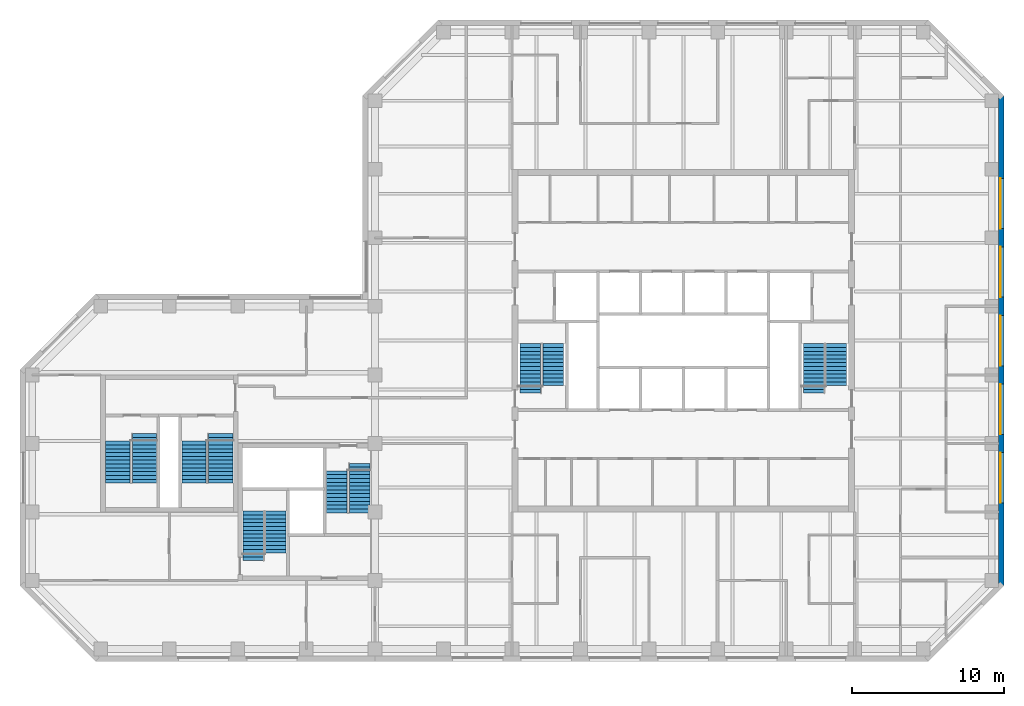
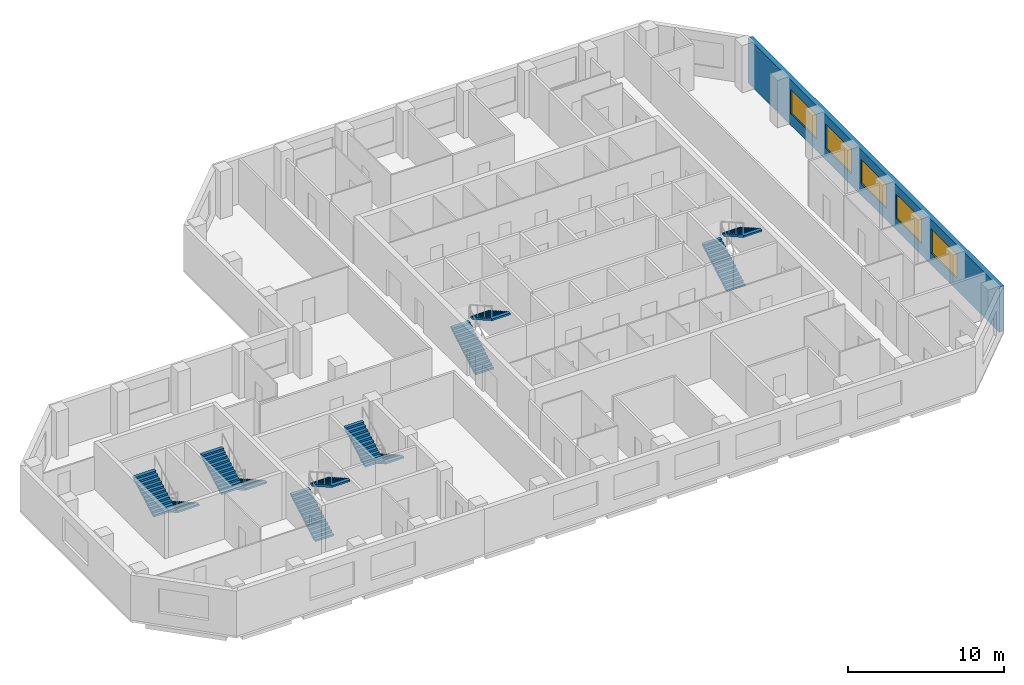
# One storey, part 8 of 9: 12 stair flights, 5 windows, 1 wall, 5 openings, 6 elements without a shape of their own.
"""IFC4 building model written with IfcOpenShell, lengths in metres."""

from ifc_helpers import new_model, si_unit, direction, frame, frame_2d, origin, place, context, subcontext, project, spatial, polyline, rectangle, outline, extrude, material, layer, layer_set, constituent, constituent_set, type_object, element, fill, aggregate, save


model = new_model("IFC4")

# Units and contexts
model_context = context("Model", 3, precision=1e-05, world=origin(), true_north=direction((0.0, 1.0)))
body_context = subcontext(model_context, "Body", "Model", "MODEL_VIEW")
ifc_project = project(units=[si_unit("LENGTHUNIT", "METRE"), si_unit("AREAUNIT", "SQUARE_METRE"), si_unit("VOLUMEUNIT", "CUBIC_METRE"), si_unit("PLANEANGLEUNIT", "RADIAN"), si_unit("MASSUNIT", "GRAM", prefix="KILO")], contexts=[model_context])

# Site, building, storey
site_placement = place(None, origin())
site = spatial("IfcSite", under=ifc_project, at=site_placement, CompositionType="ELEMENT")
building_placement = place(site_placement, origin())
building = spatial("IfcBuilding", under=site, at=building_placement, Name="Quoin Convention Tower", CompositionType="ELEMENT")
storey_placement = place(building_placement, frame((0.0, 0.0, 166.199951171875)))
storey = spatial("IfcBuildingStorey", under=building, at=storey_placement, Name="L43", CompositionType="ELEMENT", Elevation=166.199951171875)

# Wall, openings, windows
ifc_material_1 = material(Name="Brick masonry", Category="masonry")
ifc_layer = layer(ifc_material_1, 0.35009765625)
ifc_layer_set = layer_set([ifc_layer], Name="Brick masonry")
wall_type = type_object("IfcWallType", Name="Brick facade wall", PredefinedType="STANDARD", material=ifc_layer_set)
wall_placement = place(storey_placement, frame((77.125, 44.668701171875, 0.0), z_axis=(0.0, 0.0, 1.0), x_axis=(0.0, 1.0, 0.0)))
wall = element("IfcWall", 1, at=wall_placement, inside=storey, type_object=wall_type, Name="fw-L43-76500_45000", PredefinedType="STANDARD", context=body_context, shape_type="SweptSolid", body=[
    extrude(rectangle(XDim=32.16259765625, YDim=0.35009765625, at=frame_2d((16.081298828125, 0.0))), origin(), (0.0, 0.0, 1.0), 3.525146484375),
])
opening_1_placement = place(wall_placement, frame((5.431396484375, 0.0, 0.89990234375)))
opening_1 = element("IfcOpeningElement", 2, at=opening_1_placement, cuts=wall, Name="Opening W-02", PredefinedType="OPENING", context=body_context, shape_type="SweptSolid", body=[
    extrude(rectangle(XDim=3.300048828125, YDim=1.89990234375, at=frame_2d((1.64990234375, 0.949951171875))), frame((0.0, 0.18505859375, 0.0), z_axis=(0.0, -1.0, 0.0), x_axis=(1.0, 0.0, 0.0)), (0.0, 0.0, 1.0), 0.3701171875),
])
opening_2_placement = place(wall_placement, frame((9.931396484375, 0.0, 0.89990234375)))
opening_2 = element("IfcOpeningElement", 3, at=opening_2_placement, cuts=wall, Name="Opening W-02", PredefinedType="OPENING", context=body_context, shape_type="SweptSolid", body=[
    extrude(rectangle(XDim=3.300048828125, YDim=1.89990234375, at=frame_2d((1.64990234375, 0.949951171875))), frame((0.0, 0.18505859375, 0.0), z_axis=(0.0, -1.0, 0.0), x_axis=(1.0, 0.0, 0.0)), (0.0, 0.0, 1.0), 0.3701171875),
])
opening_3_placement = place(wall_placement, frame((14.431396484375, 0.0, 0.89990234375)))
opening_3 = element("IfcOpeningElement", 4, at=opening_3_placement, cuts=wall, Name="Opening W-02", PredefinedType="OPENING", context=body_context, shape_type="SweptSolid", body=[
    extrude(rectangle(XDim=3.300048828125, YDim=1.89990234375, at=frame_2d((1.64990234375, 0.949951171875))), frame((0.0, 0.18505859375, 0.0), z_axis=(0.0, -1.0, 0.0), x_axis=(1.0, 0.0, 0.0)), (0.0, 0.0, 1.0), 0.3701171875),
])
opening_4_placement = place(wall_placement, frame((18.931396484375, 0.0, 0.89990234375)))
opening_4 = element("IfcOpeningElement", 5, at=opening_4_placement, cuts=wall, Name="Opening W-02", PredefinedType="OPENING", context=body_context, shape_type="SweptSolid", body=[
    extrude(rectangle(XDim=3.300048828125, YDim=1.89990234375, at=frame_2d((1.64990234375, 0.949951171875))), frame((0.0, 0.18505859375, 0.0), z_axis=(0.0, -1.0, 0.0), x_axis=(1.0, 0.0, 0.0)), (0.0, 0.0, 1.0), 0.3701171875),
])
opening_5_placement = place(wall_placement, frame((23.431396484375, 0.0, 0.89990234375)))
opening_5 = element("IfcOpeningElement", 6, at=opening_5_placement, cuts=wall, Name="Opening W-02", PredefinedType="OPENING", context=body_context, shape_type="SweptSolid", body=[
    extrude(rectangle(XDim=3.300048828125, YDim=1.89990234375, at=frame_2d((1.64990234375, 0.949951171875))), frame((0.0, 0.18505859375, 0.0), z_axis=(0.0, -1.0, 0.0), x_axis=(1.0, 0.0, 0.0)), (0.0, 0.0, 1.0), 0.3701171875),
])
ifc_material_2 = material(Name="Aluminium", Category="aluminium")
ifc_constituent_1 = constituent(ifc_material_2, Name="Frame")
ifc_material_3 = material(Name="Insulated glass", Category="glass")
ifc_constituent_2 = constituent(ifc_material_3, Name="Glazing")
ifc_constituent_set = constituent_set(constituents=[ifc_constituent_1, ifc_constituent_2], Name="Aluminium")
window_type = type_object("IfcWindowType", Name="Office window", PartitioningType="DOUBLE_PANEL_VERTICAL", PredefinedType="WINDOW", material=ifc_constituent_set)
window_1_placement = place(opening_1_placement, origin())
window_1 = element("IfcWindow", 7, at=window_1_placement, inside=storey, type_object=window_type, Name="win-L43-77125_51750", OverallHeight=1.89990234375, OverallWidth=3.300048828125, PartitioningType="SINGLE_PANEL", PredefinedType="WINDOW", context=body_context, shape_type="SweptSolid", body=[
    extrude(rectangle(XDim=3.300048828125, YDim=1.89990234375, at=frame_2d((1.64990234375, 0.949951171875))), frame((0.0, 0.0849609375, 0.0), z_axis=(0.0, -1.0, 0.0), x_axis=(1.0, 0.0, 0.0)), (0.0, 0.0, 1.0), 0.06005859375),
])
fill(opening_1, window_1)
window_2_placement = place(opening_2_placement, origin())
window_2 = element("IfcWindow", 8, at=window_2_placement, inside=storey, type_object=window_type, Name="win-L43-77125_56250", OverallHeight=1.89990234375, OverallWidth=3.300048828125, PartitioningType="SINGLE_PANEL", PredefinedType="WINDOW", context=body_context, shape_type="SweptSolid", body=[
    extrude(rectangle(XDim=3.300048828125, YDim=1.89990234375, at=frame_2d((1.64990234375, 0.949951171875))), frame((0.0, 0.0849609375, 0.0), z_axis=(0.0, -1.0, 0.0), x_axis=(1.0, 0.0, 0.0)), (0.0, 0.0, 1.0), 0.06005859375),
])
fill(opening_2, window_2)
window_3_placement = place(opening_3_placement, origin())
window_3 = element("IfcWindow", 9, at=window_3_placement, inside=storey, type_object=window_type, Name="win-L43-77125_60750", OverallHeight=1.89990234375, OverallWidth=3.300048828125, PartitioningType="SINGLE_PANEL", PredefinedType="WINDOW", context=body_context, shape_type="SweptSolid", body=[
    extrude(rectangle(XDim=3.300048828125, YDim=1.89990234375, at=frame_2d((1.64990234375, 0.949951171875))), frame((0.0, 0.0849609375, 0.0), z_axis=(0.0, -1.0, 0.0), x_axis=(1.0, 0.0, 0.0)), (0.0, 0.0, 1.0), 0.06005859375),
])
fill(opening_3, window_3)
window_4_placement = place(opening_4_placement, origin())
window_4 = element("IfcWindow", 10, at=window_4_placement, inside=storey, type_object=window_type, Name="win-L43-77125_65250", OverallHeight=1.89990234375, OverallWidth=3.300048828125, PartitioningType="SINGLE_PANEL", PredefinedType="WINDOW", context=body_context, shape_type="SweptSolid", body=[
    extrude(rectangle(XDim=3.300048828125, YDim=1.89990234375, at=frame_2d((1.64990234375, 0.949951171875))), frame((0.0, 0.0849609375, 0.0), z_axis=(0.0, -1.0, 0.0), x_axis=(1.0, 0.0, 0.0)), (0.0, 0.0, 1.0), 0.06005859375),
])
fill(opening_4, window_4)
window_5_placement = place(opening_5_placement, origin())
window_5 = element("IfcWindow", 11, at=window_5_placement, inside=storey, type_object=window_type, Name="win-L43-77125_69750", OverallHeight=1.89990234375, OverallWidth=3.300048828125, PartitioningType="SINGLE_PANEL", PredefinedType="WINDOW", context=body_context, shape_type="SweptSolid", body=[
    extrude(rectangle(XDim=3.300048828125, YDim=1.89990234375, at=frame_2d((1.64990234375, 0.949951171875))), frame((0.0, 0.0849609375, 0.0), z_axis=(0.0, -1.0, 0.0), x_axis=(1.0, 0.0, 0.0)), (0.0, 0.0, 1.0), 0.06005859375),
])
fill(opening_5, window_5)

# Stair, stair flights
ifc_material_4 = material(Name="Concrete C40", Category="concrete")
stair_type_1 = type_object("IfcStairType", Name="Exit stair two-flight 1350", PredefinedType="HALF_TURN_STAIR", material=ifc_material_4)
stair_1_placement = place(storey_placement, origin())
stair_1 = element("IfcStair", 12, at=stair_1_placement, inside=storey, type_object=stair_type_1, Name="SD1 L43", PredefinedType="HALF_TURN_STAIR")
stair_flight_type_1 = type_object("IfcStairFlightType", Name="Stair flight 1350", PredefinedType="STRAIGHT", material=ifc_material_4)
stair_flight_1_placement = place(storey_placement, frame((46.199951171875, 57.300048828125, 0.0), z_axis=(0.0, 0.0, 1.0), x_axis=(0.0, 1.0, 0.0)))
stair_flight_1 = element("IfcStairFlight", 13, at=stair_flight_1_placement, type_object=stair_flight_type_1, Name="ST1 flight 1", NumberOfRisers=14, NumberOfTreads=13, PredefinedType="STRAIGHT", RiserHeight=0.142307692, TreadLength=0.25, context=body_context, shape_type="SweptSolid", body=[
    extrude(outline(polyline([(0.0, 0.0), (0.0, 0.142333984375), (0.25, 0.142333984375), (0.25, 0.28466796875), (0.5, 0.28466796875), (0.5, 0.427001953125), (0.75, 0.427001953125), (0.75, 0.5693359375), (1.0, 0.5693359375), (1.0, 0.71142578125), (1.25, 0.71142578125), (1.25, 0.853759765625), (1.5, 0.853759765625), (1.5, 0.99609375), (1.75, 0.99609375), (1.75, 1.138427734375), (2.0, 1.138427734375), (2.0, 1.28076171875), (2.25, 1.28076171875), (2.25, 1.423095703125), (2.5, 1.423095703125), (2.5, 1.5654296875), (2.75, 1.5654296875), (2.75, 1.707763671875), (3.0, 1.707763671875), (3.0, 1.85009765625), (3.25, 1.85009765625), (3.25, 1.9921875), (3.25, 1.711669921875), (0.242919921875, 0.0), (0.0, 0.0)])), frame((0.0, 0.675048828125, 0.0), z_axis=(0.0, -1.0, 0.0), x_axis=(1.0, 0.0, 0.0)), (0.0, 0.0, 1.0), 1.35009765625),
])
stair_flight_2_placement = place(storey_placement, frame((47.699951171875, 60.550048828125, 1.992431640625), z_axis=(0.0, 0.0, 1.0), x_axis=(0.0, -1.0, 0.0)))
stair_flight_2 = element("IfcStairFlight", 14, at=stair_flight_2_placement, type_object=stair_flight_type_1, Name="ST1 flight 2", NumberOfRisers=12, NumberOfTreads=11, PredefinedType="STRAIGHT", RiserHeight=0.142307692, TreadLength=0.25, context=body_context, shape_type="SweptSolid", body=[
    extrude(outline(polyline([(0.0, 0.0), (0.0, 0.142333984375), (0.25, 0.142333984375), (0.25, 0.28466796875), (0.5, 0.28466796875), (0.5, 0.427001953125), (0.75, 0.427001953125), (0.75, 0.5693359375), (1.0, 0.5693359375), (1.0, 0.71142578125), (1.25, 0.71142578125), (1.25, 0.853759765625), (1.5, 0.853759765625), (1.5, 0.99609375), (1.75, 0.99609375), (1.75, 1.138427734375), (2.0, 1.138427734375), (2.0, 1.28076171875), (2.25, 1.28076171875), (2.25, 1.423095703125), (2.5, 1.423095703125), (2.5, 1.5654296875), (2.75, 1.5654296875), (2.75, 1.707763671875), (2.75, 1.42724609375), (0.242919921875, 0.0), (0.0, 0.0)])), frame((0.0, 0.675048828125, 0.0), z_axis=(0.0, -1.0, 0.0), x_axis=(1.0, 0.0, 0.0)), (0.0, 0.0, 1.0), 1.35009765625),
])
aggregate(stair_1, [stair_flight_1, stair_flight_2])

stair_2_placement = place(storey_placement, origin())
stair_2 = element("IfcStair", 15, at=stair_2_placement, inside=storey, type_object=stair_type_1, Name="SD2 L43", PredefinedType="HALF_TURN_STAIR")
stair_flight_3_placement = place(storey_placement, frame((64.800048828125, 57.300048828125, 0.0), z_axis=(0.0, 0.0, 1.0), x_axis=(0.0, 1.0, 0.0)))
stair_flight_3 = element("IfcStairFlight", 16, at=stair_flight_3_placement, type_object=stair_flight_type_1, Name="ST2 flight 1", NumberOfRisers=14, NumberOfTreads=13, PredefinedType="STRAIGHT", RiserHeight=0.142307692, TreadLength=0.25, context=body_context, shape_type="SweptSolid", body=[
    extrude(outline(polyline([(0.0, 0.0), (0.0, 0.142333984375), (0.25, 0.142333984375), (0.25, 0.28466796875), (0.5, 0.28466796875), (0.5, 0.427001953125), (0.75, 0.427001953125), (0.75, 0.5693359375), (1.0, 0.5693359375), (1.0, 0.71142578125), (1.25, 0.71142578125), (1.25, 0.853759765625), (1.5, 0.853759765625), (1.5, 0.99609375), (1.75, 0.99609375), (1.75, 1.138427734375), (2.0, 1.138427734375), (2.0, 1.28076171875), (2.25, 1.28076171875), (2.25, 1.423095703125), (2.5, 1.423095703125), (2.5, 1.5654296875), (2.75, 1.5654296875), (2.75, 1.707763671875), (3.0, 1.707763671875), (3.0, 1.85009765625), (3.25, 1.85009765625), (3.25, 1.9921875), (3.25, 1.711669921875), (0.242919921875, 0.0), (0.0, 0.0)])), frame((0.0, 0.675048828125, 0.0), z_axis=(0.0, -1.0, 0.0), x_axis=(1.0, 0.0, 0.0)), (0.0, 0.0, 1.0), 1.35009765625),
])
stair_flight_4_placement = place(storey_placement, frame((66.300048828125, 60.550048828125, 1.992431640625), z_axis=(0.0, 0.0, 1.0), x_axis=(0.0, -1.0, 0.0)))
stair_flight_4 = element("IfcStairFlight", 17, at=stair_flight_4_placement, type_object=stair_flight_type_1, Name="ST2 flight 2", NumberOfRisers=12, NumberOfTreads=11, PredefinedType="STRAIGHT", RiserHeight=0.142307692, TreadLength=0.25, context=body_context, shape_type="SweptSolid", body=[
    extrude(outline(polyline([(0.0, 0.0), (0.0, 0.142333984375), (0.25, 0.142333984375), (0.25, 0.28466796875), (0.5, 0.28466796875), (0.5, 0.427001953125), (0.75, 0.427001953125), (0.75, 0.5693359375), (1.0, 0.5693359375), (1.0, 0.71142578125), (1.25, 0.71142578125), (1.25, 0.853759765625), (1.5, 0.853759765625), (1.5, 0.99609375), (1.75, 0.99609375), (1.75, 1.138427734375), (2.0, 1.138427734375), (2.0, 1.28076171875), (2.25, 1.28076171875), (2.25, 1.423095703125), (2.5, 1.423095703125), (2.5, 1.5654296875), (2.75, 1.5654296875), (2.75, 1.707763671875), (2.75, 1.42724609375), (0.242919921875, 0.0), (0.0, 0.0)])), frame((0.0, 0.675048828125, 0.0), z_axis=(0.0, -1.0, 0.0), x_axis=(1.0, 0.0, 0.0)), (0.0, 0.0, 1.0), 1.35009765625),
])
aggregate(stair_2, [stair_flight_3, stair_flight_4])

stair_3_placement = place(storey_placement, origin())
stair_3 = element("IfcStair", 18, at=stair_3_placement, inside=storey, type_object=stair_type_1, Name="SD3 L43", PredefinedType="HALF_TURN_STAIR")
stair_flight_5_placement = place(storey_placement, frame((28.0, 46.300048828125, 0.0), z_axis=(0.0, 0.0, 1.0), x_axis=(0.0, 1.0, 0.0)))
stair_flight_5 = element("IfcStairFlight", 19, at=stair_flight_5_placement, type_object=stair_flight_type_1, Name="ST3 flight 1", NumberOfRisers=14, NumberOfTreads=13, PredefinedType="STRAIGHT", RiserHeight=0.142307692, TreadLength=0.25, context=body_context, shape_type="SweptSolid", body=[
    extrude(outline(polyline([(0.0, 0.0), (0.0, 0.142333984375), (0.25, 0.142333984375), (0.25, 0.28466796875), (0.5, 0.28466796875), (0.5, 0.427001953125), (0.75, 0.427001953125), (0.75, 0.5693359375), (1.0, 0.5693359375), (1.0, 0.71142578125), (1.25, 0.71142578125), (1.25, 0.853759765625), (1.5, 0.853759765625), (1.5, 0.99609375), (1.75, 0.99609375), (1.75, 1.138427734375), (2.0, 1.138427734375), (2.0, 1.28076171875), (2.25, 1.28076171875), (2.25, 1.423095703125), (2.5, 1.423095703125), (2.5, 1.5654296875), (2.75, 1.5654296875), (2.75, 1.707763671875), (3.0, 1.707763671875), (3.0, 1.85009765625), (3.25, 1.85009765625), (3.25, 1.9921875), (3.25, 1.711669921875), (0.242919921875, 0.0), (0.0, 0.0)])), frame((0.0, 0.675048828125, 0.0), z_axis=(0.0, -1.0, 0.0), x_axis=(1.0, 0.0, 0.0)), (0.0, 0.0, 1.0), 1.35009765625),
])
stair_flight_6_placement = place(storey_placement, frame((29.5, 49.550048828125, 1.992431640625), z_axis=(0.0, 0.0, 1.0), x_axis=(0.0, -1.0, 0.0)))
stair_flight_6 = element("IfcStairFlight", 20, at=stair_flight_6_placement, type_object=stair_flight_type_1, Name="ST3 flight 2", NumberOfRisers=12, NumberOfTreads=11, PredefinedType="STRAIGHT", RiserHeight=0.142307692, TreadLength=0.25, context=body_context, shape_type="SweptSolid", body=[
    extrude(outline(polyline([(0.0, 0.0), (0.0, 0.142333984375), (0.25, 0.142333984375), (0.25, 0.28466796875), (0.5, 0.28466796875), (0.5, 0.427001953125), (0.75, 0.427001953125), (0.75, 0.5693359375), (1.0, 0.5693359375), (1.0, 0.71142578125), (1.25, 0.71142578125), (1.25, 0.853759765625), (1.5, 0.853759765625), (1.5, 0.99609375), (1.75, 0.99609375), (1.75, 1.138427734375), (2.0, 1.138427734375), (2.0, 1.28076171875), (2.25, 1.28076171875), (2.25, 1.423095703125), (2.5, 1.423095703125), (2.5, 1.5654296875), (2.75, 1.5654296875), (2.75, 1.707763671875), (2.75, 1.42724609375), (0.242919921875, 0.0), (0.0, 0.0)])), frame((0.0, 0.675048828125, 0.0), z_axis=(0.0, -1.0, 0.0), x_axis=(1.0, 0.0, 0.0)), (0.0, 0.0, 1.0), 1.35009765625),
])
aggregate(stair_3, [stair_flight_5, stair_flight_6])

stair_4_placement = place(storey_placement, origin())
stair_4 = element("IfcStair", 21, at=stair_4_placement, inside=storey, type_object=stair_type_1, Name="SD4 L43", PredefinedType="HALF_TURN_STAIR")
stair_flight_7_placement = place(storey_placement, frame((35.0, 52.699951171875, 0.0), z_axis=(0.0, 0.0, 1.0), x_axis=(0.0, -1.0, 0.0)))
stair_flight_7 = element("IfcStairFlight", 22, at=stair_flight_7_placement, type_object=stair_flight_type_1, Name="ST4 flight 1", NumberOfRisers=14, NumberOfTreads=13, PredefinedType="STRAIGHT", RiserHeight=0.142307692, TreadLength=0.25, context=body_context, shape_type="SweptSolid", body=[
    extrude(outline(polyline([(0.0, 0.0), (0.0, 0.142333984375), (0.25, 0.142333984375), (0.25, 0.28466796875), (0.5, 0.28466796875), (0.5, 0.427001953125), (0.75, 0.427001953125), (0.75, 0.5693359375), (1.0, 0.5693359375), (1.0, 0.71142578125), (1.25, 0.71142578125), (1.25, 0.853759765625), (1.5, 0.853759765625), (1.5, 0.99609375), (1.75, 0.99609375), (1.75, 1.138427734375), (2.0, 1.138427734375), (2.0, 1.28076171875), (2.25, 1.28076171875), (2.25, 1.423095703125), (2.5, 1.423095703125), (2.5, 1.5654296875), (2.75, 1.5654296875), (2.75, 1.707763671875), (3.0, 1.707763671875), (3.0, 1.85009765625), (3.25, 1.85009765625), (3.25, 1.9921875), (3.25, 1.711669921875), (0.242919921875, 0.0), (0.0, 0.0)])), frame((0.0, 0.675048828125, 0.0), z_axis=(0.0, -1.0, 0.0), x_axis=(1.0, 0.0, 0.0)), (0.0, 0.0, 1.0), 1.35009765625),
])
stair_flight_8_placement = place(storey_placement, frame((33.5, 49.449951171875, 1.992431640625), z_axis=(0.0, 0.0, 1.0), x_axis=(0.0, 1.0, 0.0)))
stair_flight_8 = element("IfcStairFlight", 23, at=stair_flight_8_placement, type_object=stair_flight_type_1, Name="ST4 flight 2", NumberOfRisers=12, NumberOfTreads=11, PredefinedType="STRAIGHT", RiserHeight=0.142307692, TreadLength=0.25, context=body_context, shape_type="SweptSolid", body=[
    extrude(outline(polyline([(0.0, 0.0), (0.0, 0.142333984375), (0.25, 0.142333984375), (0.25, 0.28466796875), (0.5, 0.28466796875), (0.5, 0.427001953125), (0.75, 0.427001953125), (0.75, 0.5693359375), (1.0, 0.5693359375), (1.0, 0.71142578125), (1.25, 0.71142578125), (1.25, 0.853759765625), (1.5, 0.853759765625), (1.5, 0.99609375), (1.75, 0.99609375), (1.75, 1.138427734375), (2.0, 1.138427734375), (2.0, 1.28076171875), (2.25, 1.28076171875), (2.25, 1.423095703125), (2.5, 1.423095703125), (2.5, 1.5654296875), (2.75, 1.5654296875), (2.75, 1.707763671875), (2.75, 1.42724609375), (0.242919921875, 0.0), (0.0, 0.0)])), frame((0.0, 0.675048828125, 0.0), z_axis=(0.0, -1.0, 0.0), x_axis=(1.0, 0.0, 0.0)), (0.0, 0.0, 1.0), 1.35009765625),
])
aggregate(stair_4, [stair_flight_7, stair_flight_8])

stair_type_2 = type_object("IfcStairType", Name="Exit stair two-flight 1600", PredefinedType="HALF_TURN_STAIR", material=ifc_material_4)
stair_5_placement = place(storey_placement, origin())
stair_5 = element("IfcStair", 24, at=stair_5_placement, inside=storey, type_object=stair_type_2, Name="SD11 L43", PredefinedType="HALF_TURN_STAIR")
stair_flight_type_2 = type_object("IfcStairFlightType", Name="Stair flight 1600", PredefinedType="STRAIGHT", material=ifc_material_4)
stair_flight_9_placement = place(storey_placement, frame((20.875, 54.64990234375, 0.0), z_axis=(0.0, 0.0, 1.0), x_axis=(0.0, -1.0, 0.0)))
stair_flight_9 = element("IfcStairFlight", 25, at=stair_flight_9_placement, type_object=stair_flight_type_2, Name="ST11 flight 1", NumberOfRisers=14, NumberOfTreads=13, PredefinedType="STRAIGHT", RiserHeight=0.142307692, TreadLength=0.25, context=body_context, shape_type="SweptSolid", body=[
    extrude(outline(polyline([(0.0, 0.0), (0.0, 0.142333984375), (0.25, 0.142333984375), (0.25, 0.28466796875), (0.5, 0.28466796875), (0.5, 0.427001953125), (0.75, 0.427001953125), (0.75, 0.5693359375), (1.0, 0.5693359375), (1.0, 0.71142578125), (1.25, 0.71142578125), (1.25, 0.853759765625), (1.5, 0.853759765625), (1.5, 0.99609375), (1.75, 0.99609375), (1.75, 1.138427734375), (2.0, 1.138427734375), (2.0, 1.28076171875), (2.25, 1.28076171875), (2.25, 1.423095703125), (2.5, 1.423095703125), (2.5, 1.5654296875), (2.75, 1.5654296875), (2.75, 1.707763671875), (3.0, 1.707763671875), (3.0, 1.85009765625), (3.25, 1.85009765625), (3.25, 1.9921875), (3.25, 1.711669921875), (0.242919921875, 0.0), (0.0, 0.0)])), frame((0.0, 0.800048828125, 0.0), z_axis=(0.0, -1.0, 0.0), x_axis=(1.0, 0.0, 0.0)), (0.0, 0.0, 1.0), 1.60009765625),
])
stair_flight_10_placement = place(storey_placement, frame((19.125, 51.39990234375, 1.992431640625), z_axis=(0.0, 0.0, 1.0), x_axis=(0.0, 1.0, 0.0)))
stair_flight_10 = element("IfcStairFlight", 26, at=stair_flight_10_placement, type_object=stair_flight_type_2, Name="ST11 flight 2", NumberOfRisers=12, NumberOfTreads=11, PredefinedType="STRAIGHT", RiserHeight=0.142307692, TreadLength=0.25, context=body_context, shape_type="SweptSolid", body=[
    extrude(outline(polyline([(0.0, 0.0), (0.0, 0.142333984375), (0.25, 0.142333984375), (0.25, 0.28466796875), (0.5, 0.28466796875), (0.5, 0.427001953125), (0.75, 0.427001953125), (0.75, 0.5693359375), (1.0, 0.5693359375), (1.0, 0.71142578125), (1.25, 0.71142578125), (1.25, 0.853759765625), (1.5, 0.853759765625), (1.5, 0.99609375), (1.75, 0.99609375), (1.75, 1.138427734375), (2.0, 1.138427734375), (2.0, 1.28076171875), (2.25, 1.28076171875), (2.25, 1.423095703125), (2.5, 1.423095703125), (2.5, 1.5654296875), (2.75, 1.5654296875), (2.75, 1.707763671875), (2.75, 1.42724609375), (0.242919921875, 0.0), (0.0, 0.0)])), frame((0.0, 0.800048828125, 0.0), z_axis=(0.0, -1.0, 0.0), x_axis=(1.0, 0.0, 0.0)), (0.0, 0.0, 1.0), 1.60009765625),
])
aggregate(stair_5, [stair_flight_9, stair_flight_10])

stair_6_placement = place(storey_placement, origin())
stair_6 = element("IfcStair", 27, at=stair_6_placement, inside=storey, type_object=stair_type_2, Name="SD12 L43", PredefinedType="HALF_TURN_STAIR")
stair_flight_11_placement = place(storey_placement, frame((25.875, 54.64990234375, 0.0), z_axis=(0.0, 0.0, 1.0), x_axis=(0.0, -1.0, 0.0)))
stair_flight_11 = element("IfcStairFlight", 28, at=stair_flight_11_placement, type_object=stair_flight_type_2, Name="ST12 flight 1", NumberOfRisers=14, NumberOfTreads=13, PredefinedType="STRAIGHT", RiserHeight=0.142307692, TreadLength=0.25, context=body_context, shape_type="SweptSolid", body=[
    extrude(outline(polyline([(0.0, 0.0), (0.0, 0.142333984375), (0.25, 0.142333984375), (0.25, 0.28466796875), (0.5, 0.28466796875), (0.5, 0.427001953125), (0.75, 0.427001953125), (0.75, 0.5693359375), (1.0, 0.5693359375), (1.0, 0.71142578125), (1.25, 0.71142578125), (1.25, 0.853759765625), (1.5, 0.853759765625), (1.5, 0.99609375), (1.75, 0.99609375), (1.75, 1.138427734375), (2.0, 1.138427734375), (2.0, 1.28076171875), (2.25, 1.28076171875), (2.25, 1.423095703125), (2.5, 1.423095703125), (2.5, 1.5654296875), (2.75, 1.5654296875), (2.75, 1.707763671875), (3.0, 1.707763671875), (3.0, 1.85009765625), (3.25, 1.85009765625), (3.25, 1.9921875), (3.25, 1.711669921875), (0.242919921875, 0.0), (0.0, 0.0)])), frame((0.0, 0.800048828125, 0.0), z_axis=(0.0, -1.0, 0.0), x_axis=(1.0, 0.0, 0.0)), (0.0, 0.0, 1.0), 1.60009765625),
])
stair_flight_12_placement = place(storey_placement, frame((24.125, 51.39990234375, 1.992431640625), z_axis=(0.0, 0.0, 1.0), x_axis=(0.0, 1.0, 0.0)))
stair_flight_12 = element("IfcStairFlight", 29, at=stair_flight_12_placement, type_object=stair_flight_type_2, Name="ST12 flight 2", NumberOfRisers=12, NumberOfTreads=11, PredefinedType="STRAIGHT", RiserHeight=0.142307692, TreadLength=0.25, context=body_context, shape_type="SweptSolid", body=[
    extrude(outline(polyline([(0.0, 0.0), (0.0, 0.142333984375), (0.25, 0.142333984375), (0.25, 0.28466796875), (0.5, 0.28466796875), (0.5, 0.427001953125), (0.75, 0.427001953125), (0.75, 0.5693359375), (1.0, 0.5693359375), (1.0, 0.71142578125), (1.25, 0.71142578125), (1.25, 0.853759765625), (1.5, 0.853759765625), (1.5, 0.99609375), (1.75, 0.99609375), (1.75, 1.138427734375), (2.0, 1.138427734375), (2.0, 1.28076171875), (2.25, 1.28076171875), (2.25, 1.423095703125), (2.5, 1.423095703125), (2.5, 1.5654296875), (2.75, 1.5654296875), (2.75, 1.707763671875), (2.75, 1.42724609375), (0.242919921875, 0.0), (0.0, 0.0)])), frame((0.0, 0.800048828125, 0.0), z_axis=(0.0, -1.0, 0.0), x_axis=(1.0, 0.0, 0.0)), (0.0, 0.0, 1.0), 1.60009765625),
])
aggregate(stair_6, [stair_flight_11, stair_flight_12])

save(model, "model.ifc")
